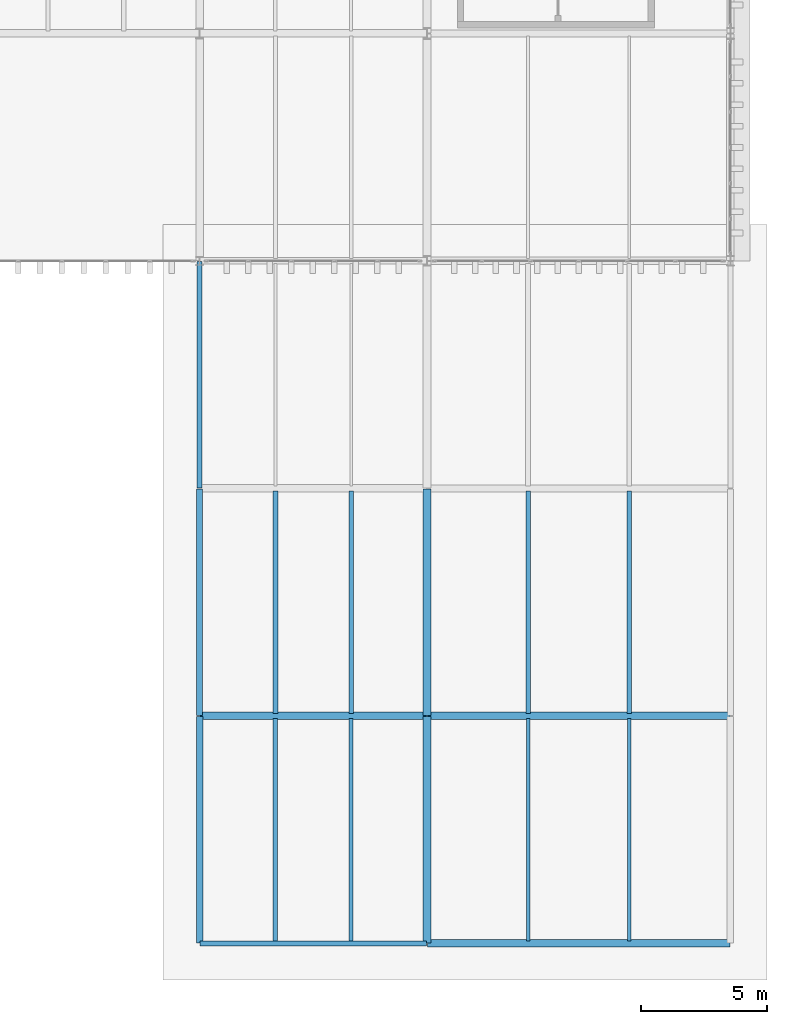
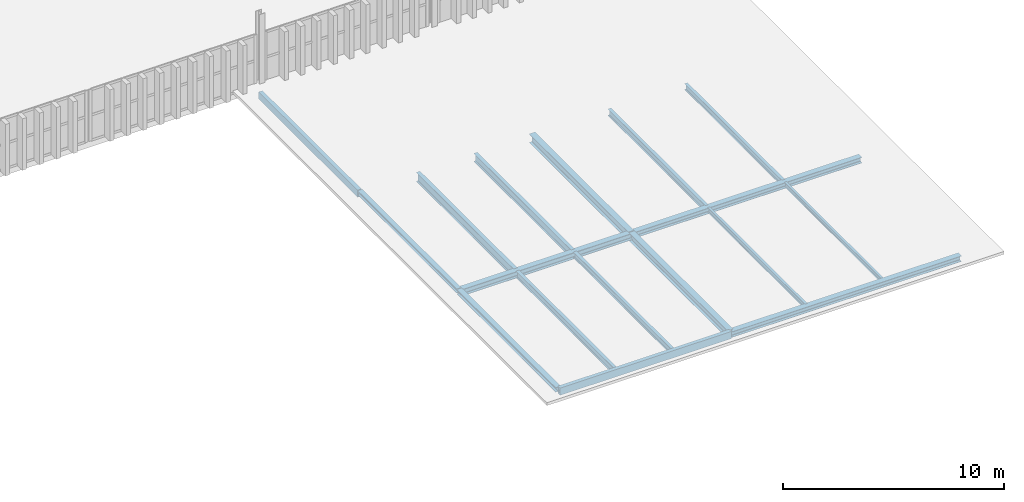
# One storey, part 25 of 102: 17 beams.
"""IFC4 building model written with IfcOpenShell, lengths in metres."""

import ifcopenshell
import ifcopenshell.guid

model = None  # the IFC model being written
_history = None  # IfcOwnerHistory: only IFC2X3 demands one
_inside = {}  # id of a spatial element -> (the spatial element, [elements in it])
_under = {}  # id of a project, library or spatial element -> (it, [spatial elements below it])
_declared = {}  # id of a project -> (the project, [libraries it declares])
_typed = {}  # id of a type object -> (the type object, [elements of that type])
_made_of = {}  # id of a material, layer set ... -> (it, [elements and type objects made of it])


def new_model(schema):
    """Start an empty IFC model of exactly this schema.

    Asked for "IFC4X3", IfcOpenShell would pick the latest addendum, in which some entities
    have other attributes; the version numbers below select the first issue.
    IFC2X3 requires an IfcOwnerHistory on every rooted entity: one is made here for all.
    """
    global model, _history
    if schema == "IFC4X3":
        model = ifcopenshell.file(schema_version=(4, 3, 0, 0))
    else:
        model = ifcopenshell.file(schema=schema)
    _inside.clear()
    _under.clear()
    _declared.clear()
    _typed.clear()
    _made_of.clear()
    _history = None
    if model.schema == "IFC2X3":
        org = make("IfcOrganization", Name="unknown")
        user = make(
            "IfcPersonAndOrganization",
            ThePerson=make("IfcPerson", FamilyName="unknown"),
            TheOrganization=org,
        )
        app = make(
            "IfcApplication",
            ApplicationDeveloper=org,
            Version="unknown",
            ApplicationFullName="unknown",
            ApplicationIdentifier="unknown",
        )
        _history = make(
            "IfcOwnerHistory",
            OwningUser=user,
            OwningApplication=app,
            ChangeAction="ADDED",
            CreationDate=0,
        )
    return model


def make(cls, **values):
    """One entity of the class cls with the attributes given. An attribute that is None is left unset."""
    return model.create_entity(
        cls, **{name: value for name, value in values.items() if value is not None}
    )


def rooted(cls, **values):
    """An entity with a GlobalId (a new one), such as an element, a storey or a relation."""
    return make(cls, GlobalId=ifcopenshell.guid.new(), OwnerHistory=_history, **values)


def si_unit(unit_type, name, prefix=None):
    """IfcSIUnit, for example si_unit("LENGTHUNIT", "METRE", prefix="MILLI")."""
    return make("IfcSIUnit", UnitType=unit_type, Prefix=prefix, Name=name)


def assignment(units):
    """IfcUnitAssignment: the units of a project."""
    return None if units is None else make("IfcUnitAssignment", Units=units)


def point(xyz):
    """IfcCartesianPoint."""
    return None if xyz is None else make("IfcCartesianPoint", Coordinates=xyz)


def direction(xyz):
    """IfcDirection."""
    return None if xyz is None else make("IfcDirection", DirectionRatios=xyz)


def frame(location, z_axis=None, x_axis=None):
    """IfcAxis2Placement3D, a coordinate frame: its origin and axes. An axis left out is left unset."""
    return make(
        "IfcAxis2Placement3D",
        Location=point(location),
        Axis=direction(z_axis),
        RefDirection=direction(x_axis),
    )


def frame_2d(location, x_axis=None):
    """IfcAxis2Placement2D, a coordinate frame in the plane: its origin and x axis."""
    return make(
        "IfcAxis2Placement2D", Location=point(location), RefDirection=direction(x_axis)
    )


def origin():
    """The frame at (0, 0, 0) with its axes left unset."""
    return frame((0.0, 0.0, 0.0))


def origin_2d():
    """The frame at (0, 0) in the plane with its x axis left unset."""
    return frame_2d((0.0, 0.0))


def place(relative_to, where):
    """IfcLocalPlacement: puts the frame where relative to a parent placement (None: the world)."""
    return make(
        "IfcLocalPlacement", PlacementRelTo=relative_to, RelativePlacement=where
    )


def context(
    kind, dimensions, precision=None, world=None, true_north=None, identifier=None
):
    """IfcGeometricRepresentationContext, for example the 3D "Model" context."""
    return make(
        "IfcGeometricRepresentationContext",
        ContextIdentifier=identifier,
        ContextType=kind,
        CoordinateSpaceDimension=dimensions,
        Precision=precision,
        WorldCoordinateSystem=world,
        TrueNorth=true_north,
    )


def subcontext(parent, identifier, kind, view, scale=None):
    """IfcGeometricRepresentationSubContext, for example "Body" below "Model"."""
    return make(
        "IfcGeometricRepresentationSubContext",
        ContextIdentifier=identifier,
        ContextType=kind,
        ParentContext=parent,
        TargetScale=scale,
        TargetView=view,
    )


def project(units=None, contexts=None):
    """IfcProject with its units and contexts."""
    return rooted(
        "IfcProject",
        Name="project",
        RepresentationContexts=contexts,
        UnitsInContext=assignment(units),
    )


def spatial(cls, under=None, at=None, **own):
    """A site, building, storey or space (cls), placed at a placement, below another one or the project."""
    s = rooted(cls, ObjectPlacement=at, **own)
    if under is not None:
        _under.setdefault(under.id(), (under, []))[1].append(s)
    return s


def profile(cls, at=None, kind="AREA", **sizes):
    """A parametric profile (cls). Its sizes go by their IFC names, for example OverallWidth=200.0."""
    return make(cls, ProfileType=kind, Position=at, **sizes)


def hollow_rectangle(**sizes):
    """IfcRectangleHollowProfileDef."""
    return profile("IfcRectangleHollowProfileDef", **sizes)


def i_section(**sizes):
    """IfcIShapeProfileDef."""
    return profile("IfcIShapeProfileDef", **sizes)


def extrude(swept, where, along, depth):
    """IfcExtrudedAreaSolid: the profile swept, set in the frame where, extruded along a direction by depth."""
    return make(
        "IfcExtrudedAreaSolid",
        SweptArea=swept,
        Position=where,
        ExtrudedDirection=direction(along),
        Depth=depth,
    )


def shape(context_of_items, identifier, shape_type, items):
    """IfcShapeRepresentation: the items that make up one representation, for example the "Body"."""
    return make(
        "IfcShapeRepresentation",
        ContextOfItems=context_of_items,
        RepresentationIdentifier=identifier,
        RepresentationType=shape_type,
        Items=items,
    )


def material(Name=None, Category=None):
    """IfcMaterial."""
    return make("IfcMaterial", Name=Name, Category=Category)


def material_profile(
    of_material, cross_section, Name=None, Category=None, Priority=None
):
    """IfcMaterialProfile: a cross section and its material."""
    return make(
        "IfcMaterialProfile",
        Name=Name,
        Material=of_material,
        Profile=cross_section,
        Priority=Priority,
        Category=Category,
    )


def profile_set(profiles, Name=None, composite=None):
    """IfcMaterialProfileSet."""
    return make(
        "IfcMaterialProfileSet",
        Name=Name,
        MaterialProfiles=profiles,
        CompositeProfile=composite,
    )


def made_of(thing, what):
    """Note that an element or type object is made of a material, layer set ...; save() writes the relation."""
    if what is not None:
        _made_of.setdefault(what.id(), (what, []))[1].append(thing)
    return thing


def type_object(cls, material=None, **own):
    """A type object (cls), such as IfcWallType, which elements share."""
    return made_of(rooted(cls, **own), material)


def element(
    cls,
    number,
    at=None,
    inside=None,
    cuts=None,
    type_object=None,
    material=None,
    context=None,
    identifier="Body",
    shape_type=None,
    held_by="IfcProductDefinitionShape",
    body=None,
    shapes=None,
    **own,
):
    """One element of the class cls, such as IfcWall. Its Tag is "e" and its number.

    at: its placement. inside: the storey or other place that contains it. cuts: it is an
    opening in that element (IfcRelVoidsElement). A single representation is given by context,
    identifier, shape_type and body (its items); several are given by shapes. held_by: the class
    of the entity that holds the representations. save() writes the other relations.
    """
    e = rooted(cls, Tag="e%d" % number, ObjectPlacement=at, **own)
    if body is not None:
        shapes = [shape(context, identifier, shape_type, body)]
    if shapes is not None:
        e.Representation = make(held_by, Representations=shapes)
    if inside is not None:
        _inside.setdefault(inside.id(), (inside, []))[1].append(e)
    if cuts is not None:
        rooted(
            "IfcRelVoidsElement", RelatingBuildingElement=cuts, RelatedOpeningElement=e
        )
    if type_object is not None:
        _typed.setdefault(type_object.id(), (type_object, []))[1].append(e)
    return made_of(e, material)


def aggregate(whole, parts):
    """IfcRelAggregates: a whole, such as a stair, and the parts it consists of."""
    return rooted("IfcRelAggregates", RelatingObject=whole, RelatedObjects=parts)


def save(model, path):
    """Write the relations noted so far, then the file.

    IfcRelAggregates (storeys below a building ...), IfcRelContainedInSpatialStructure (elements
    in a storey), IfcRelDefinesByType, IfcRelAssociatesMaterial and IfcRelDeclares: one each for
    every whole, place, type object, material and project.
    """
    for whole, parts in _under.values():
        aggregate(whole, parts)
    for where, things in _inside.values():
        rooted(
            "IfcRelContainedInSpatialStructure",
            RelatedElements=things,
            RelatingStructure=where,
        )
    for kind, things in _typed.values():
        rooted("IfcRelDefinesByType", RelatedObjects=things, RelatingType=kind)
    for what, things in _made_of.values():
        rooted("IfcRelAssociatesMaterial", RelatedObjects=things, RelatingMaterial=what)
    for by, libraries in _declared.values():
        rooted("IfcRelDeclares", RelatingContext=by, RelatedDefinitions=libraries)
    model.write(path)


model = new_model("IFC4")

# Units and contexts
model_context = context("Model", 3, precision=1e-05, world=origin(), true_north=direction((0.0, 1.0)))
body_context = subcontext(model_context, "Body", "Model", "MODEL_VIEW")
ifc_project = project(units=[si_unit("LENGTHUNIT", "METRE"), si_unit("AREAUNIT", "SQUARE_METRE"), si_unit("VOLUMEUNIT", "CUBIC_METRE"), si_unit("PLANEANGLEUNIT", "RADIAN"), si_unit("MASSUNIT", "GRAM", prefix="KILO")], contexts=[model_context])

# Site, building, storey
site_placement = place(None, origin())
site = spatial("IfcSite", under=ifc_project, at=site_placement, CompositionType="ELEMENT")
building_placement = place(site_placement, origin())
building = spatial("IfcBuilding", under=site, at=building_placement, Name="Barlavento Convention Centre", CompositionType="ELEMENT")
storey_placement = place(building_placement, frame((0.0, 0.0, 22.800048828125)))
storey = spatial("IfcBuildingStorey", under=building, at=storey_placement, Name="L04", CompositionType="ELEMENT", Elevation=22.800048828125)

# Beams
ifc_material = material(Name="Steel S355", Category="steel")
ifc_material_profile_1 = material_profile(ifc_material, i_section(OverallWidth=0.1201171875, OverallDepth=0.239990234375, WebThickness=0.006103515625, FlangeThickness=0.009765625, FilletRadius=0.014892578125, at=origin_2d()), Name="IPE 240")
ifc_profile_set_1 = profile_set([ifc_material_profile_1], Name="Steel S355")
beam_type_1 = type_object("IfcBeamType", Name="STR-BM-JST-IPE240", PredefinedType="JOIST", material=ifc_profile_set_1)
beam_1_placement = place(storey_placement, frame((188.0, 0.094970703125, -0.485107421875), z_axis=(0.0, 1.0, 0.0), x_axis=(-1.0, 0.0, 0.0)))
element("IfcBeam", 1, at=beam_1_placement, inside=storey, type_object=beam_type_1, Name="L04 composite floor joist SJ09", PredefinedType="JOIST", context=body_context, shape_type="SweptSolid", body=[
    extrude(i_section(OverallWidth=0.1201171875, OverallDepth=0.239990234375, WebThickness=0.006103515625, FlangeThickness=0.009765625, FilletRadius=0.014892578125, at=origin_2d()), origin(), (0.0, 0.0, 1.0), 8.81005859375),
])
ifc_material_profile_2 = material_profile(ifc_material, i_section(OverallWidth=0.135009765625, OverallDepth=0.27001953125, WebThickness=0.006591796875, FlangeThickness=0.01025390625, FilletRadius=0.014892578125, at=origin_2d()), Name="IPE 270")
ifc_profile_set_2 = profile_set([ifc_material_profile_2], Name="Steel S355")
beam_type_2 = type_object("IfcBeamType", Name="STR-BM-JST-IPE270", PredefinedType="JOIST", material=ifc_profile_set_2)
beam_2_placement = place(storey_placement, frame((184.0, 0.094970703125, -0.5), z_axis=(0.0, 1.0, 0.0), x_axis=(-1.0, 0.0, 0.0)))
element("IfcBeam", 2, at=beam_2_placement, inside=storey, type_object=beam_type_2, Name="L04 composite floor joist SJ08", PredefinedType="JOIST", context=body_context, shape_type="SweptSolid", body=[
    extrude(i_section(OverallWidth=0.135009765625, OverallDepth=0.27001953125, WebThickness=0.006591796875, FlangeThickness=0.01025390625, FilletRadius=0.014892578125, at=origin_2d()), origin(), (0.0, 0.0, 1.0), 8.81005859375),
])
ifc_material_profile_3 = material_profile(ifc_material, i_section(OverallWidth=0.159912109375, OverallDepth=0.330078125, WebThickness=0.007568359375, FlangeThickness=0.011474609375, FilletRadius=0.01806640625, at=origin_2d()), Name="IPE 330")
ifc_profile_set_3 = profile_set([ifc_material_profile_3], Name="Steel S355")
beam_type_3 = type_object("IfcBeamType", Name="STR-BM-JST-IPE330", PredefinedType="JOIST", material=ifc_profile_set_3)
for number, where, z_axis, x_axis, name in (
    (3, (177.0, 0.094970703125, -0.530029296875), (0.0, 1.0, 0.0), (-1.0, 0.0, 0.0), "L04 composite floor joist SJ06"),
    (4, (188.0, 9.094970703125, -0.530029296875), (0.0, 1.0, 0.0), (-1.0, 0.0, 0.0), "L04 composite floor joist SJ06"),
):
    element("IfcBeam", number, at=place(storey_placement, frame(where, z_axis=z_axis, x_axis=x_axis)), inside=storey, type_object=beam_type_3, Name=name, PredefinedType="JOIST", context=body_context, shape_type="SweptSolid", body=[
        extrude(i_section(OverallWidth=0.159912109375, OverallDepth=0.330078125, WebThickness=0.007568359375, FlangeThickness=0.011474609375, FilletRadius=0.01806640625, at=origin_2d()), origin(), (0.0, 0.0, 1.0), 8.81005859375),
    ])
ifc_material_profile_4 = material_profile(ifc_material, i_section(OverallWidth=0.169921875, OverallDepth=0.360107421875, WebThickness=0.008056640625, FlangeThickness=0.0126953125, FilletRadius=0.01806640625, at=origin_2d()), Name="IPE 360")
ifc_profile_set_4 = profile_set([ifc_material_profile_4], Name="Steel S355")
beam_type_4 = type_object("IfcBeamType", Name="STR-BM-JST-IPE360", PredefinedType="JOIST", material=ifc_profile_set_4)
for number, where, z_axis, x_axis, name in (
    (5, (174.0, 0.094970703125, -0.545166015625), (0.0, 1.0, 0.0), (-1.0, 0.0, 0.0), "L04 composite floor joist SJ05"),
    (6, (184.0, 9.094970703125, -0.545166015625), (0.0, 1.0, 0.0), (-1.0, 0.0, 0.0), "L04 composite floor joist SJ05"),
):
    element("IfcBeam", number, at=place(storey_placement, frame(where, z_axis=z_axis, x_axis=x_axis)), inside=storey, type_object=beam_type_4, Name=name, PredefinedType="JOIST", context=body_context, shape_type="SweptSolid", body=[
        extrude(i_section(OverallWidth=0.169921875, OverallDepth=0.360107421875, WebThickness=0.008056640625, FlangeThickness=0.0126953125, FilletRadius=0.01806640625, at=origin_2d()), origin(), (0.0, 0.0, 1.0), 8.81005859375),
    ])
ifc_material_profile_5 = material_profile(ifc_material, i_section(OverallWidth=0.18994140625, OverallDepth=0.449951171875, WebThickness=0.009521484375, FlangeThickness=0.0146484375, FilletRadius=0.02099609375, at=origin_2d()), Name="IPE 450")
ifc_profile_set_5 = profile_set([ifc_material_profile_5], Name="Steel S355")
beam_type_5 = type_object("IfcBeamType", Name="STR-BM-JST-IPE450", PredefinedType="JOIST", material=ifc_profile_set_5)
beam_3_placement = place(storey_placement, frame((177.0, 9.094970703125, -0.590087890625), z_axis=(0.0, 1.0, 0.0), x_axis=(-1.0, 0.0, 0.0)))
element("IfcBeam", 7, at=beam_3_placement, inside=storey, type_object=beam_type_5, Name="L04 composite floor joist SJ03", PredefinedType="JOIST", context=body_context, shape_type="SweptSolid", body=[
    extrude(i_section(OverallWidth=0.18994140625, OverallDepth=0.449951171875, WebThickness=0.009521484375, FlangeThickness=0.0146484375, FilletRadius=0.02099609375, at=origin_2d()), origin(), (0.0, 0.0, 1.0), 8.81005859375),
])
ifc_material_profile_6 = material_profile(ifc_material, i_section(OverallWidth=0.199951171875, OverallDepth=0.5, WebThickness=0.01025390625, FlangeThickness=0.01611328125, FilletRadius=0.02099609375, at=origin_2d()), Name="IPE 500")
ifc_profile_set_6 = profile_set([ifc_material_profile_6], Name="Steel S355")
beam_type_6 = type_object("IfcBeamType", Name="STR-BM-JST-IPE500", PredefinedType="JOIST", material=ifc_profile_set_6)
beam_4_placement = place(storey_placement, frame((174.0, 9.094970703125, -0.614990234375), z_axis=(0.0, 1.0, 0.0), x_axis=(-1.0, 0.0, 0.0)))
element("IfcBeam", 8, at=beam_4_placement, inside=storey, type_object=beam_type_6, Name="L04 composite floor joist SJ02", PredefinedType="JOIST", context=body_context, shape_type="SweptSolid", body=[
    extrude(i_section(OverallWidth=0.199951171875, OverallDepth=0.5, WebThickness=0.01025390625, FlangeThickness=0.01611328125, FilletRadius=0.02099609375, at=origin_2d()), origin(), (0.0, 0.0, 1.0), 8.81005859375),
])
ifc_material_profile_7 = material_profile(ifc_material, i_section(OverallWidth=0.300048828125, OverallDepth=0.43994140625, WebThickness=0.011474609375, FlangeThickness=0.02099609375, FilletRadius=0.027099609375, at=origin_2d()), Name="HEA 450")
ifc_profile_set_7 = profile_set([ifc_material_profile_7], Name="Steel S355")
beam_type_7 = type_object("IfcBeamType", Name="STR-BM-PRI-HEA450", PredefinedType="BEAM", material=ifc_profile_set_7)
beam_5_placement = place(storey_placement, frame((180.0, 0.02001953125, -0.5849609375), z_axis=(0.0, 1.0, 0.0), x_axis=(-1.0, 0.0, 0.0)))
element("IfcBeam", 9, at=beam_5_placement, inside=storey, type_object=beam_type_7, Name="L04 grid girder BG21", PredefinedType="BEAM", context=body_context, shape_type="SweptSolid", body=[
    extrude(i_section(OverallWidth=0.300048828125, OverallDepth=0.43994140625, WebThickness=0.011474609375, FlangeThickness=0.02099609375, FilletRadius=0.027099609375, at=origin_2d()), origin(), (0.0, 0.0, 1.0), 8.9599609375),
])
ifc_material_profile_8 = material_profile(ifc_material, i_section(OverallWidth=0.300048828125, OverallDepth=0.489990234375, WebThickness=0.011962890625, FlangeThickness=0.02294921875, FilletRadius=0.027099609375, at=origin_2d()), Name="HEA 500")
ifc_profile_set_8 = profile_set([ifc_material_profile_8], Name="Steel S355")
beam_type_8 = type_object("IfcBeamType", Name="STR-BM-PRI-HEA500", PredefinedType="BEAM", material=ifc_profile_set_8)
beam_6_placement = place(storey_placement, frame((180.0, 9.02001953125, -0.610107421875), z_axis=(0.0, 1.0, 0.0), x_axis=(-1.0, 0.0, 0.0)))
element("IfcBeam", 10, at=beam_6_placement, inside=storey, type_object=beam_type_8, Name="L04 grid girder BG20", PredefinedType="BEAM", context=body_context, shape_type="SweptSolid", body=[
    extrude(i_section(OverallWidth=0.300048828125, OverallDepth=0.489990234375, WebThickness=0.011962890625, FlangeThickness=0.02294921875, FilletRadius=0.027099609375, at=origin_2d()), origin(), (0.0, 0.0, 1.0), 8.9599609375),
])
ifc_material_profile_9 = material_profile(ifc_material, i_section(OverallWidth=0.300048828125, OverallDepth=0.320068359375, WebThickness=0.011474609375, FlangeThickness=0.0205078125, FilletRadius=0.027099609375, at=origin_2d()), Name="HEB 320")
ifc_profile_set_9 = profile_set([ifc_material_profile_9], Name="Steel S355")
beam_type_9 = type_object("IfcBeamType", Name="STR-BM-PRI-HEB320", PredefinedType="BEAM", material=ifc_profile_set_9)
beam_7_placement = place(storey_placement, frame((180.02001953125, 9.0, -0.525146484375), z_axis=(1.0, 0.0, 0.0), x_axis=(0.0, 1.0, 0.0)))
element("IfcBeam", 11, at=beam_7_placement, inside=storey, type_object=beam_type_9, Name="L04 primary girder BG13", PredefinedType="BEAM", context=body_context, shape_type="SweptSolid", body=[
    extrude(i_section(OverallWidth=0.300048828125, OverallDepth=0.320068359375, WebThickness=0.011474609375, FlangeThickness=0.0205078125, FilletRadius=0.027099609375, at=origin_2d()), origin(), (0.0, 0.0, 1.0), 11.9599609375),
])
ifc_material_profile_10 = material_profile(ifc_material, i_section(OverallWidth=0.300048828125, OverallDepth=0.360107421875, WebThickness=0.012451171875, FlangeThickness=0.0224609375, FilletRadius=0.027099609375, at=origin_2d()), Name="HEB 360")
ifc_profile_set_10 = profile_set([ifc_material_profile_10], Name="Steel S355")
beam_type_10 = type_object("IfcBeamType", Name="STR-BM-PRI-HEB360", PredefinedType="BEAM", material=ifc_profile_set_10)
beam_8_placement = place(storey_placement, frame((171.02001953125, 9.0, -0.545166015625), z_axis=(1.0, 0.0, 0.0), x_axis=(0.0, 1.0, 0.0)))
element("IfcBeam", 12, at=beam_8_placement, inside=storey, type_object=beam_type_10, Name="L04 primary girder BG12", PredefinedType="BEAM", context=body_context, shape_type="SweptSolid", body=[
    extrude(i_section(OverallWidth=0.300048828125, OverallDepth=0.360107421875, WebThickness=0.012451171875, FlangeThickness=0.0224609375, FilletRadius=0.027099609375, at=origin_2d()), origin(), (0.0, 0.0, 1.0), 8.9599609375),
])
ifc_material_profile_11 = material_profile(ifc_material, i_section(OverallWidth=0.239990234375, OverallDepth=0.22998046875, WebThickness=0.007568359375, FlangeThickness=0.011962890625, FilletRadius=0.02099609375, at=origin_2d()), Name="HEA 240")
ifc_profile_set_11 = profile_set([ifc_material_profile_11], Name="Steel S355")
beam_type_11 = type_object("IfcBeamType", Name="STR-BM-SPN-HEA240", PredefinedType="SPANDREL", material=ifc_profile_set_11)
beam_9_placement = place(storey_placement, frame((171.0, 9.02001953125, -0.47998046875), z_axis=(0.0, 1.0, 0.0), x_axis=(-1.0, 0.0, 0.0)))
element("IfcBeam", 13, at=beam_9_placement, inside=storey, type_object=beam_type_11, Name="L04 grid girder SP05", PredefinedType="SPANDREL", context=body_context, shape_type="SweptSolid", body=[
    extrude(i_section(OverallWidth=0.239990234375, OverallDepth=0.22998046875, WebThickness=0.007568359375, FlangeThickness=0.011962890625, FilletRadius=0.02099609375, at=origin_2d()), origin(), (0.0, 0.0, 1.0), 8.9599609375),
])
ifc_material_profile_12 = material_profile(ifc_material, i_section(OverallWidth=0.260009765625, OverallDepth=0.25, WebThickness=0.007568359375, FlangeThickness=0.012451171875, FilletRadius=0.02392578125, at=origin_2d()), Name="HEA 260")
ifc_profile_set_12 = profile_set([ifc_material_profile_12], Name="Steel S355")
beam_type_12 = type_object("IfcBeamType", Name="STR-BM-SPN-HEA260", PredefinedType="SPANDREL", material=ifc_profile_set_12)
beam_10_placement = place(storey_placement, frame((171.0, 0.02001953125, -0.489990234375), z_axis=(0.0, 1.0, 0.0), x_axis=(-1.0, 0.0, 0.0)))
element("IfcBeam", 14, at=beam_10_placement, inside=storey, type_object=beam_type_12, Name="L04 grid girder SP04", PredefinedType="SPANDREL", context=body_context, shape_type="SweptSolid", body=[
    extrude(i_section(OverallWidth=0.260009765625, OverallDepth=0.25, WebThickness=0.007568359375, FlangeThickness=0.012451171875, FilletRadius=0.02392578125, at=origin_2d()), origin(), (0.0, 0.0, 1.0), 8.9599609375),
])
ifc_material_profile_13 = material_profile(ifc_material, i_section(OverallWidth=0.300048828125, OverallDepth=0.31005859375, WebThickness=0.009033203125, FlangeThickness=0.015380859375, FilletRadius=0.027099609375, at=origin_2d()), Name="HEA 320")
ifc_profile_set_13 = profile_set([ifc_material_profile_13], Name="Steel S355")
beam_type_13 = type_object("IfcBeamType", Name="STR-BM-SPN-HEA320", PredefinedType="SPANDREL", material=ifc_profile_set_13)
beam_11_placement = place(storey_placement, frame((180.02001953125, 0.0, -0.52001953125), z_axis=(1.0, 0.0, 0.0), x_axis=(0.0, 1.0, 0.0)))
element("IfcBeam", 15, at=beam_11_placement, inside=storey, type_object=beam_type_13, Name="L04 primary girder SP01", PredefinedType="SPANDREL", context=body_context, shape_type="SweptSolid", body=[
    extrude(i_section(OverallWidth=0.300048828125, OverallDepth=0.31005859375, WebThickness=0.009033203125, FlangeThickness=0.015380859375, FilletRadius=0.027099609375, at=origin_2d()), origin(), (0.0, 0.0, 1.0), 11.9599609375),
])
ifc_material_profile_14 = material_profile(ifc_material, hollow_rectangle(XDim=0.199951171875, YDim=0.39990234375, WallThickness=0.01611328125, at=origin_2d()), Name="RHS 400x200x16.0")
ifc_profile_set_14 = profile_set([ifc_material_profile_14], Name="Steel S355")
beam_type_14 = type_object("IfcBeamType", Name="STR-BM-SPN-RHS400", PredefinedType="SPANDREL", material=ifc_profile_set_14)
for number, where, z_axis, x_axis, name in (
    (16, (171.02001953125, 0.0, -0.56494140625), (1.0, 0.0, 0.0), (0.0, 1.0, 0.0), "L04 primary girder SP06"),
    (17, (171.0, 18.02001953125, -0.56494140625), (0.0, 1.0, 0.0), (-1.0, 0.0, 0.0), "L04 grid girder SP06"),
):
    element("IfcBeam", number, at=place(storey_placement, frame(where, z_axis=z_axis, x_axis=x_axis)), inside=storey, type_object=beam_type_14, Name=name, PredefinedType="SPANDREL", context=body_context, shape_type="SweptSolid", body=[
        extrude(hollow_rectangle(XDim=0.199951171875, YDim=0.39990234375, WallThickness=0.01611328125, at=origin_2d()), origin(), (0.0, 0.0, 1.0), 8.9599609375),
    ])

save(model, "model.ifc")
